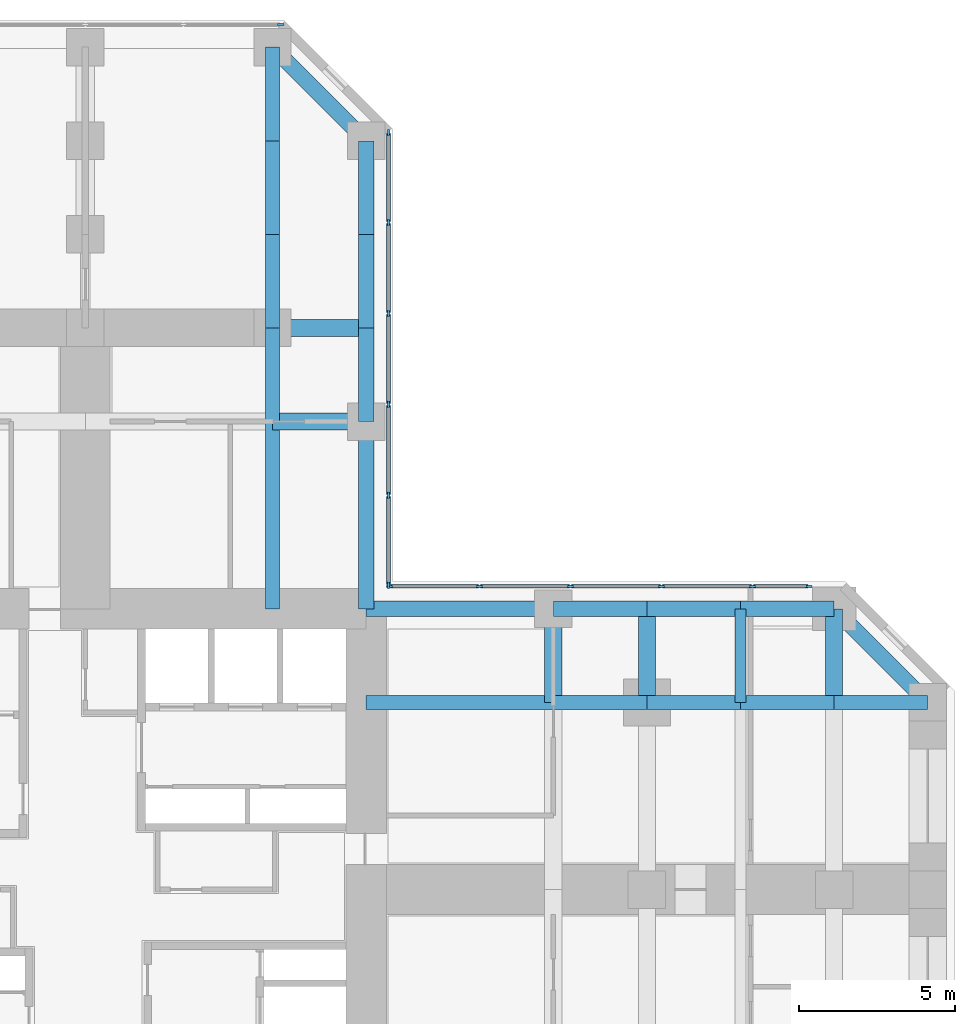
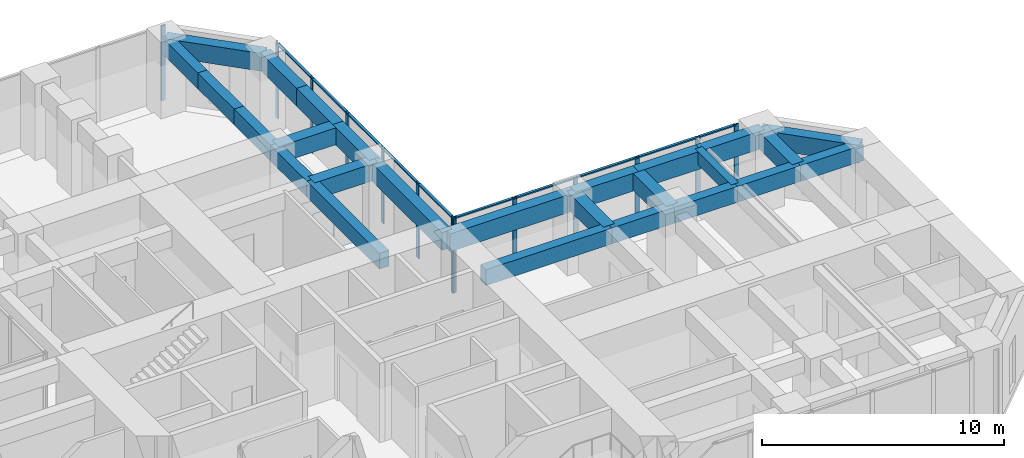
# One storey, part 6 of 13: 26 beams, 23 members, 3 elements without a shape of their own.
"""IFC4 building model written with IfcOpenShell, lengths in metres."""

from ifc_helpers import new_model, si_unit, direction, frame, origin, origin_2d, place, context, subcontext, project, spatial, rectangle, extrude, material, material_profile, profile_set, type_object, element, aggregate, save


model = new_model("IFC4")

# Units and contexts
model_context = context("Model", 3, precision=1e-05, world=origin(), true_north=direction((0.0, 1.0)))
body_context = subcontext(model_context, "Body", "Model", "MODEL_VIEW")
ifc_project = project(units=[si_unit("LENGTHUNIT", "METRE"), si_unit("AREAUNIT", "SQUARE_METRE"), si_unit("VOLUMEUNIT", "CUBIC_METRE"), si_unit("PLANEANGLEUNIT", "RADIAN"), si_unit("MASSUNIT", "GRAM", prefix="KILO")], contexts=[model_context])

# Site, building, storey
site_placement = place(None, origin())
site = spatial("IfcSite", under=ifc_project, at=site_placement, CompositionType="ELEMENT")
building_placement = place(site_placement, origin())
building = spatial("IfcBuilding", under=site, at=building_placement, Name="Torre Cruceta", CompositionType="ELEMENT")
storey_placement = place(building_placement, frame((0.0, 0.0, 23.5)))
storey = spatial("IfcBuildingStorey", under=building, at=storey_placement, Name="L05", CompositionType="ELEMENT", Elevation=23.5)

# Beams
ifc_material_1 = material(Name="Concrete G60 (fck 60 MPa)", Category="concrete")
ifc_material_profile_1 = material_profile(ifc_material_1, rectangle(XDim=0.449951171875, YDim=0.800048828125, at=origin_2d()), Name="RC 450X800")
ifc_profile_set_1 = profile_set([ifc_material_profile_1], Name="Concrete G60 (fck 60 MPa)")
beam_type_1 = type_object("IfcBeamType", Name="COLUMN LINE BEAM RC 450X800", PredefinedType="BEAM", material=ifc_profile_set_1)
beam_1_placement = place(storey_placement, frame((6.0, 9.0, 3.39990234375), z_axis=(0.0, 1.0, 0.0), x_axis=(-1.0, 0.0, 0.0)))
element("IfcBeam", 1, at=beam_1_placement, inside=storey, type_object=beam_type_1, Name="LB1 L05 N col- 1", PredefinedType="BEAM", context=body_context, shape_type="SweptSolid", body=[
    extrude(rectangle(XDim=0.449951171875, YDim=0.800048828125, at=origin_2d()), origin(), (0.0, 0.0, 1.0), 6.0),
])
for number, where, z_axis, x_axis, name in (
    (2, (6.0, 15.0, 3.39990234375), (0.0, 1.0, 0.0), (-1.0, 0.0, 0.0), "LB1 L05 N col- 2"),
    (3, (6.0, 18.0, 3.39990234375), (0.0, 1.0, 0.0), (-1.0, 0.0, 0.0), "LB1 L05 N col- 3"),
    (4, (6.0, 21.0, 3.39990234375), (0.0, 1.0, 0.0), (-1.0, 0.0, 0.0), "LB1 L05 N col- 4"),
    (5, (6.0, 24.0, 3.39990234375), (0.0, 1.0, 0.0), (-1.0, 0.0, 0.0), "LB1 L05 N col- 5"),
):
    element("IfcBeam", number, at=place(storey_placement, frame(where, z_axis=z_axis, x_axis=x_axis)), inside=storey, type_object=beam_type_1, Name=name, PredefinedType="BEAM", context=body_context, shape_type="SweptSolid", body=[
        extrude(rectangle(XDim=0.449951171875, YDim=0.800048828125, at=origin_2d()), origin(), (0.0, 0.0, 1.0), 3.0),
    ])
beam_2_placement = place(storey_placement, frame((9.0, 6.0, 3.39990234375), z_axis=(1.0, 0.0, 0.0), x_axis=(0.0, 1.0, 0.0)))
element("IfcBeam", 6, at=beam_2_placement, inside=storey, type_object=beam_type_1, Name="LB1 L05 E col+ 1", PredefinedType="BEAM", context=body_context, shape_type="SweptSolid", body=[
    extrude(rectangle(XDim=0.449951171875, YDim=0.800048828125, at=origin_2d()), origin(), (0.0, 0.0, 1.0), 6.0),
])
for number, where, z_axis, x_axis, name in (
    (7, (15.0, 6.0, 3.39990234375), (1.0, 0.0, 0.0), (0.0, 1.0, 0.0), "LB1 L05 E col+ 2"),
    (8, (18.0, 6.0, 3.39990234375), (1.0, 0.0, 0.0), (0.0, 1.0, 0.0), "LB1 L05 E col+ 3"),
    (9, (21.0, 6.0, 3.39990234375), (1.0, 0.0, 0.0), (0.0, 1.0, 0.0), "LB1 L05 E col+ 4"),
    (10, (24.0, 6.0, 3.39990234375), (1.0, 0.0, 0.0), (0.0, 1.0, 0.0), "LB1 L05 E col+ 5"),
):
    element("IfcBeam", number, at=place(storey_placement, frame(where, z_axis=z_axis, x_axis=x_axis)), inside=storey, type_object=beam_type_1, Name=name, PredefinedType="BEAM", context=body_context, shape_type="SweptSolid", body=[
        extrude(rectangle(XDim=0.449951171875, YDim=0.800048828125, at=origin_2d()), origin(), (0.0, 0.0, 1.0), 3.0),
    ])
ifc_material_2 = material(Name="Concrete G60 (fck 60 MPa)", Category="concrete")
ifc_material_profile_2 = material_profile(ifc_material_2, rectangle(XDim=0.550048828125, YDim=0.85009765625, at=origin_2d()), Name="RC 550X850")
ifc_profile_set_2 = profile_set([ifc_material_profile_2], Name="Concrete G60 (fck 60 MPa)")
beam_type_2 = type_object("IfcBeamType", Name="CROSS BEAM RC 550X850", PredefinedType="BEAM", material=ifc_profile_set_2)
for number, where, z_axis, x_axis, name in (
    (11, (9.0, 15.0, 3.375), (-1.0, 0.0, 0.0), (0.0, -1.0, 0.0), "GB4 L05 N cross15 1"),
    (12, (9.0, 18.0, 3.375), (-1.0, 0.0, 0.0), (0.0, -1.0, 0.0), "GB4 L05 N cross18 1"),
    (13, (15.0, 6.0, 3.375), (0.0, 1.0, 0.0), (-1.0, 0.0, 0.0), "GB4 L05 E cross15 4"),
    (14, (18.0, 6.0, 3.375), (0.0, 1.0, 0.0), (-1.0, 0.0, 0.0), "GB4 L05 E cross18 4"),
    (15, (24.0, 6.0, 3.375), (0.0, 1.0, 0.0), (-1.0, 0.0, 0.0), "GB4 L05 E cross24 4"),
):
    element("IfcBeam", number, at=place(storey_placement, frame(where, z_axis=z_axis, x_axis=x_axis)), inside=storey, type_object=beam_type_2, Name=name, PredefinedType="BEAM", context=body_context, shape_type="SweptSolid", body=[
        extrude(rectangle(XDim=0.550048828125, YDim=0.85009765625, at=origin_2d()), origin(), (0.0, 0.0, 1.0), 3.0),
    ])

# Curtain wall, members
ifc_material_3 = material(Name="Aluminium unitised curtain wall", Category="aluminium")
curtain_wall_type = type_object("IfcCurtainWallType", Name="CURTAIN WALL CW-A OFFICE LOW RISE", PredefinedType="USERDEFINED", material=ifc_material_3)
curtain_wall_1_placement = place(storey_placement, origin())
curtain_wall_1 = element("IfcCurtainWall", 16, at=curtain_wall_1_placement, inside=storey, type_object=curtain_wall_type, Name="CW-A L05 E side 04", ObjectType="UNITISED", PredefinedType="USERDEFINED")
ifc_material_4 = material(Name="Aluminium mullion", Category="aluminium")
ifc_material_profile_3 = material_profile(ifc_material_4, rectangle(XDim=0.06494140625, YDim=0.199951171875, at=origin_2d()), Name="AL 65X200")
ifc_profile_set_3 = profile_set([ifc_material_profile_3], Name="Aluminium mullion")
member_type_1 = type_object("IfcMemberType", Name="CW-A MULLION 65X200", PredefinedType="MULLION", material=ifc_profile_set_3)
member_1_placement = place(storey_placement, frame((23.198974609375, 9.719970703125, 0.0), z_axis=(0.0, 0.0, 1.0), x_axis=(0.0, -1.0, 0.0)))
member_1 = element("IfcMember", 17, at=member_1_placement, type_object=member_type_1, Name="CW-A mullion 1", PredefinedType="MULLION", context=body_context, shape_type="SweptSolid", body=[
    extrude(rectangle(XDim=0.06494140625, YDim=0.199951171875, at=origin_2d()), origin(), (0.0, 0.0, 1.0), 3.800048828125),
])
member_2_placement = place(storey_placement, frame((21.382568359375, 9.719970703125, 0.0), z_axis=(0.0, 0.0, 1.0), x_axis=(0.0, -1.0, 0.0)))
member_2 = element("IfcMember", 18, at=member_2_placement, type_object=member_type_1, Name="CW-A mullion 2", PredefinedType="MULLION", context=body_context, shape_type="SweptSolid", body=[
    extrude(rectangle(XDim=0.06494140625, YDim=0.199951171875, at=origin_2d()), origin(), (0.0, 0.0, 1.0), 3.800048828125),
])
member_3_placement = place(storey_placement, frame((18.467041015625, 9.719970703125, 0.0), z_axis=(0.0, 0.0, 1.0), x_axis=(0.0, -1.0, 0.0)))
member_3 = element("IfcMember", 19, at=member_3_placement, type_object=member_type_1, Name="CW-A mullion 3", PredefinedType="MULLION", context=body_context, shape_type="SweptSolid", body=[
    extrude(rectangle(XDim=0.06494140625, YDim=0.199951171875, at=origin_2d()), origin(), (0.0, 0.0, 1.0), 3.800048828125),
])
member_4_placement = place(storey_placement, frame((15.55126953125, 9.719970703125, 0.0), z_axis=(0.0, 0.0, 1.0), x_axis=(0.0, -1.0, 0.0)))
member_4 = element("IfcMember", 20, at=member_4_placement, type_object=member_type_1, Name="CW-A mullion 4", PredefinedType="MULLION", context=body_context, shape_type="SweptSolid", body=[
    extrude(rectangle(XDim=0.06494140625, YDim=0.199951171875, at=origin_2d()), origin(), (0.0, 0.0, 1.0), 3.800048828125),
])
member_5_placement = place(storey_placement, frame((12.6357421875, 9.719970703125, 0.0), z_axis=(0.0, 0.0, 1.0), x_axis=(0.0, -1.0, 0.0)))
member_5 = element("IfcMember", 21, at=member_5_placement, type_object=member_type_1, Name="CW-A mullion 5", PredefinedType="MULLION", context=body_context, shape_type="SweptSolid", body=[
    extrude(rectangle(XDim=0.06494140625, YDim=0.199951171875, at=origin_2d()), origin(), (0.0, 0.0, 1.0), 3.800048828125),
])
member_6_placement = place(storey_placement, frame((9.75244140625, 9.719970703125, 0.0), z_axis=(0.0, 0.0, 1.0), x_axis=(0.0, -1.0, 0.0)))
member_6 = element("IfcMember", 22, at=member_6_placement, type_object=member_type_1, Name="CW-A mullion 6", PredefinedType="MULLION", context=body_context, shape_type="SweptSolid", body=[
    extrude(rectangle(XDim=0.06494140625, YDim=0.199951171875, at=origin_2d()), origin(), (0.0, 0.0, 1.0), 3.800048828125),
])

curtain_wall_2_placement = place(storey_placement, origin())
curtain_wall_2 = element("IfcCurtainWall", 23, at=curtain_wall_2_placement, inside=storey, type_object=curtain_wall_type, Name="CW-A L05 N side 05", ObjectType="UNITISED", PredefinedType="USERDEFINED")
member_7_placement = place(storey_placement, frame((9.719970703125, 9.75244140625, 0.0), z_axis=(0.0, 0.0, 1.0), x_axis=(-1.0, 0.0, 0.0)))
member_7 = element("IfcMember", 24, at=member_7_placement, type_object=member_type_1, Name="CW-A mullion 1", PredefinedType="MULLION", context=body_context, shape_type="SweptSolid", body=[
    extrude(rectangle(XDim=0.06494140625, YDim=0.199951171875, at=origin_2d()), origin(), (0.0, 0.0, 1.0), 3.800048828125),
])
member_8_placement = place(storey_placement, frame((9.719970703125, 12.6357421875, 0.0), z_axis=(0.0, 0.0, 1.0), x_axis=(-1.0, 0.0, 0.0)))
member_8 = element("IfcMember", 25, at=member_8_placement, type_object=member_type_1, Name="CW-A mullion 2", PredefinedType="MULLION", context=body_context, shape_type="SweptSolid", body=[
    extrude(rectangle(XDim=0.06494140625, YDim=0.199951171875, at=origin_2d()), origin(), (0.0, 0.0, 1.0), 3.800048828125),
])
member_9_placement = place(storey_placement, frame((9.719970703125, 15.55126953125, 0.0), z_axis=(0.0, 0.0, 1.0), x_axis=(-1.0, 0.0, 0.0)))
member_9 = element("IfcMember", 26, at=member_9_placement, type_object=member_type_1, Name="CW-A mullion 3", PredefinedType="MULLION", context=body_context, shape_type="SweptSolid", body=[
    extrude(rectangle(XDim=0.06494140625, YDim=0.199951171875, at=origin_2d()), origin(), (0.0, 0.0, 1.0), 3.800048828125),
])
member_10_placement = place(storey_placement, frame((9.719970703125, 18.467041015625, 0.0), z_axis=(0.0, 0.0, 1.0), x_axis=(-1.0, 0.0, 0.0)))
member_10 = element("IfcMember", 27, at=member_10_placement, type_object=member_type_1, Name="CW-A mullion 4", PredefinedType="MULLION", context=body_context, shape_type="SweptSolid", body=[
    extrude(rectangle(XDim=0.06494140625, YDim=0.199951171875, at=origin_2d()), origin(), (0.0, 0.0, 1.0), 3.800048828125),
])
member_11_placement = place(storey_placement, frame((9.719970703125, 21.382568359375, 0.0), z_axis=(0.0, 0.0, 1.0), x_axis=(-1.0, 0.0, 0.0)))
member_11 = element("IfcMember", 28, at=member_11_placement, type_object=member_type_1, Name="CW-A mullion 5", PredefinedType="MULLION", context=body_context, shape_type="SweptSolid", body=[
    extrude(rectangle(XDim=0.06494140625, YDim=0.199951171875, at=origin_2d()), origin(), (0.0, 0.0, 1.0), 3.800048828125),
])
member_12_placement = place(storey_placement, frame((9.719970703125, 24.265625, 0.0), z_axis=(0.0, 0.0, 1.0), x_axis=(-1.0, 0.0, 0.0)))
member_12 = element("IfcMember", 29, at=member_12_placement, type_object=member_type_1, Name="CW-A mullion 6", PredefinedType="MULLION", context=body_context, shape_type="SweptSolid", body=[
    extrude(rectangle(XDim=0.06494140625, YDim=0.199951171875, at=origin_2d()), origin(), (0.0, 0.0, 1.0), 3.800048828125),
])

# Curtain wall, member
curtain_wall_3_placement = place(storey_placement, origin())
curtain_wall_3 = element("IfcCurtainWall", 30, at=curtain_wall_3_placement, inside=storey, type_object=curtain_wall_type, Name="CW-A L05 N tip 07", ObjectType="UNITISED", PredefinedType="USERDEFINED")
member_13_placement = place(storey_placement, frame((6.265625, 27.719970703125, 0.0), z_axis=(0.0, 0.0, 1.0), x_axis=(0.0, -1.0, 0.0)))
member_13 = element("IfcMember", 31, at=member_13_placement, type_object=member_type_1, Name="CW-A mullion 1", PredefinedType="MULLION", context=body_context, shape_type="SweptSolid", body=[
    extrude(rectangle(XDim=0.06494140625, YDim=0.199951171875, at=origin_2d()), origin(), (0.0, 0.0, 1.0), 3.800048828125),
])
aggregate(curtain_wall_3, [member_13])

# Member
ifc_material_5 = material(Name="Aluminium transom", Category="aluminium")
ifc_material_profile_4 = material_profile(ifc_material_5, rectangle(XDim=0.1201171875, YDim=0.06494140625, at=origin_2d()), Name="AL 120X65")
ifc_profile_set_4 = profile_set([ifc_material_profile_4], Name="Aluminium transom")
member_type_2 = type_object("IfcMemberType", Name="CW-A TRANSOM 65X120", PredefinedType="USERDEFINED", material=ifc_profile_set_4)
member_14_placement = place(storey_placement, frame((23.16650390625, 9.719970703125, 3.767578125), z_axis=(-1.0, 0.0, 0.0), x_axis=(0.0, -1.0, 0.0)))
member_14 = element("IfcMember", 32, at=member_14_placement, type_object=member_type_2, Name="CW-A transom 1", ObjectType="TRANSOM", PredefinedType="USERDEFINED", context=body_context, shape_type="SweptSolid", body=[
    extrude(rectangle(XDim=0.1201171875, YDim=0.06494140625, at=origin_2d()), origin(), (0.0, 0.0, 1.0), 1.75146484375),
])

member_15_placement = place(storey_placement, frame((21.35009765625, 9.719970703125, 3.767578125), z_axis=(-1.0, 0.0, 0.0), x_axis=(0.0, -1.0, 0.0)))
member_15 = element("IfcMember", 33, at=member_15_placement, type_object=member_type_2, Name="CW-A transom 2", ObjectType="TRANSOM", PredefinedType="USERDEFINED", context=body_context, shape_type="SweptSolid", body=[
    extrude(rectangle(XDim=0.1201171875, YDim=0.06494140625, at=origin_2d()), origin(), (0.0, 0.0, 1.0), 2.8505859375),
])

member_16_placement = place(storey_placement, frame((18.434326171875, 9.719970703125, 3.767578125), z_axis=(-1.0, 0.0, 0.0), x_axis=(0.0, -1.0, 0.0)))
member_16 = element("IfcMember", 34, at=member_16_placement, type_object=member_type_2, Name="CW-A transom 3", ObjectType="TRANSOM", PredefinedType="USERDEFINED", context=body_context, shape_type="SweptSolid", body=[
    extrude(rectangle(XDim=0.1201171875, YDim=0.06494140625, at=origin_2d()), origin(), (0.0, 0.0, 1.0), 2.8505859375),
])

member_17_placement = place(storey_placement, frame((15.518798828125, 9.719970703125, 3.767578125), z_axis=(-1.0, 0.0, 0.0), x_axis=(0.0, -1.0, 0.0)))
member_17 = element("IfcMember", 35, at=member_17_placement, type_object=member_type_2, Name="CW-A transom 4", ObjectType="TRANSOM", PredefinedType="USERDEFINED", context=body_context, shape_type="SweptSolid", body=[
    extrude(rectangle(XDim=0.1201171875, YDim=0.06494140625, at=origin_2d()), origin(), (0.0, 0.0, 1.0), 2.8505859375),
])

member_18_placement = place(storey_placement, frame((12.60302734375, 9.719970703125, 3.767578125), z_axis=(-1.0, 0.0, 0.0), x_axis=(0.0, -1.0, 0.0)))
member_18 = element("IfcMember", 36, at=member_18_placement, type_object=member_type_2, Name="CW-A transom 5", ObjectType="TRANSOM", PredefinedType="USERDEFINED", context=body_context, shape_type="SweptSolid", body=[
    extrude(rectangle(XDim=0.1201171875, YDim=0.06494140625, at=origin_2d()), origin(), (0.0, 0.0, 1.0), 2.818115234375),
])

aggregate(curtain_wall_1, [member_1, member_2, member_3, member_4, member_5, member_6, member_14, member_15, member_16, member_17, member_18])

member_19_placement = place(storey_placement, frame((9.719970703125, 9.784912109375, 3.767578125), z_axis=(0.0, 1.0, 0.0), x_axis=(-1.0, 0.0, 0.0)))
member_19 = element("IfcMember", 37, at=member_19_placement, type_object=member_type_2, Name="CW-A transom 1", ObjectType="TRANSOM", PredefinedType="USERDEFINED", context=body_context, shape_type="SweptSolid", body=[
    extrude(rectangle(XDim=0.1201171875, YDim=0.06494140625, at=origin_2d()), origin(), (0.0, 0.0, 1.0), 2.818115234375),
])

member_20_placement = place(storey_placement, frame((9.719970703125, 12.668212890625, 3.767578125), z_axis=(0.0, 1.0, 0.0), x_axis=(-1.0, 0.0, 0.0)))
member_20 = element("IfcMember", 38, at=member_20_placement, type_object=member_type_2, Name="CW-A transom 2", ObjectType="TRANSOM", PredefinedType="USERDEFINED", context=body_context, shape_type="SweptSolid", body=[
    extrude(rectangle(XDim=0.1201171875, YDim=0.06494140625, at=origin_2d()), origin(), (0.0, 0.0, 1.0), 2.8505859375),
])

member_21_placement = place(storey_placement, frame((9.719970703125, 15.583740234375, 3.767578125), z_axis=(0.0, 1.0, 0.0), x_axis=(-1.0, 0.0, 0.0)))
member_21 = element("IfcMember", 39, at=member_21_placement, type_object=member_type_2, Name="CW-A transom 3", ObjectType="TRANSOM", PredefinedType="USERDEFINED", context=body_context, shape_type="SweptSolid", body=[
    extrude(rectangle(XDim=0.1201171875, YDim=0.06494140625, at=origin_2d()), origin(), (0.0, 0.0, 1.0), 2.8505859375),
])

member_22_placement = place(storey_placement, frame((9.719970703125, 18.49951171875, 3.767578125), z_axis=(0.0, 1.0, 0.0), x_axis=(-1.0, 0.0, 0.0)))
member_22 = element("IfcMember", 40, at=member_22_placement, type_object=member_type_2, Name="CW-A transom 4", ObjectType="TRANSOM", PredefinedType="USERDEFINED", context=body_context, shape_type="SweptSolid", body=[
    extrude(rectangle(XDim=0.1201171875, YDim=0.06494140625, at=origin_2d()), origin(), (0.0, 0.0, 1.0), 2.8505859375),
])

member_23_placement = place(storey_placement, frame((9.719970703125, 21.4150390625, 3.767578125), z_axis=(0.0, 1.0, 0.0), x_axis=(-1.0, 0.0, 0.0)))
member_23 = element("IfcMember", 41, at=member_23_placement, type_object=member_type_2, Name="CW-A transom 5", ObjectType="TRANSOM", PredefinedType="USERDEFINED", context=body_context, shape_type="SweptSolid", body=[
    extrude(rectangle(XDim=0.1201171875, YDim=0.06494140625, at=origin_2d()), origin(), (0.0, 0.0, 1.0), 2.818115234375),
])

aggregate(curtain_wall_2, [member_7, member_8, member_9, member_10, member_11, member_12, member_19, member_20, member_21, member_22, member_23])

# Beams
ifc_material_6 = material(Name="Concrete G60 (fck 60 MPa)", Category="concrete")
ifc_material_profile_5 = material_profile(ifc_material_6, rectangle(XDim=0.35009765625, YDim=0.64990234375, at=origin_2d()), Name="RC 350X650")
ifc_profile_set_5 = profile_set([ifc_material_profile_5], Name="Concrete G60 (fck 60 MPa)")
beam_type_3 = type_object("IfcBeamType", Name="SECONDARY BEAM RC 350X650", PredefinedType="JOIST", material=ifc_profile_set_5)
beam_3_placement = place(storey_placement, frame((21.0, 6.0, 3.47509765625), z_axis=(0.0, 1.0, 0.0), x_axis=(-1.0, 0.0, 0.0)))
element("IfcBeam", 42, at=beam_3_placement, inside=storey, type_object=beam_type_3, Name="JB3 L05 E sec21 4", PredefinedType="JOIST", context=body_context, shape_type="SweptSolid", body=[
    extrude(rectangle(XDim=0.35009765625, YDim=0.64990234375, at=origin_2d()), origin(), (0.0, 0.0, 1.0), 3.0),
])
ifc_material_7 = material(Name="Concrete G60 (fck 60 MPa)", Category="concrete")
ifc_material_profile_6 = material_profile(ifc_material_7, rectangle(XDim=0.5, YDim=0.89990234375, at=origin_2d()), Name="RC 500X900")
ifc_profile_set_6 = profile_set([ifc_material_profile_6], Name="Concrete G60 (fck 60 MPa)")
beam_type_4 = type_object("IfcBeamType", Name="SPANDREL BEAM RC 500X900", PredefinedType="SPANDREL", material=ifc_profile_set_6)
beam_4_placement = place(storey_placement, frame((9.0, 9.0, 3.35009765625), z_axis=(0.0, 1.0, 0.0), x_axis=(-1.0, 0.0, 0.0)))
element("IfcBeam", 43, at=beam_4_placement, inside=storey, type_object=beam_type_4, Name="SB4 L05 N side- 1", PredefinedType="SPANDREL", context=body_context, shape_type="SweptSolid", body=[
    extrude(rectangle(XDim=0.5, YDim=0.89990234375, at=origin_2d()), origin(), (0.0, 0.0, 1.0), 6.0),
])
for number, where, z_axis, x_axis, name in (
    (44, (9.0, 15.0, 3.35009765625), (0.0, 1.0, 0.0), (-1.0, 0.0, 0.0), "SB4 L05 N side- 2"),
    (45, (9.0, 18.0, 3.35009765625), (0.0, 1.0, 0.0), (-1.0, 0.0, 0.0), "SB4 L05 N side- 3"),
    (46, (9.0, 21.0, 3.35009765625), (0.0, 1.0, 0.0), (-1.0, 0.0, 0.0), "SB4 L05 N side- 4"),
):
    element("IfcBeam", number, at=place(storey_placement, frame(where, z_axis=z_axis, x_axis=x_axis)), inside=storey, type_object=beam_type_4, Name=name, PredefinedType="SPANDREL", context=body_context, shape_type="SweptSolid", body=[
        extrude(rectangle(XDim=0.5, YDim=0.89990234375, at=origin_2d()), origin(), (0.0, 0.0, 1.0), 3.0),
    ])
beam_5_placement = place(storey_placement, frame((9.0, 24.0, 3.35009765625), z_axis=(-0.707106781187, 0.707106781187, 0.0), x_axis=(-0.707106781187, -0.707106781187, 0.0)))
element("IfcBeam", 47, at=beam_5_placement, inside=storey, type_object=beam_type_4, Name="SB4 L05 N side- 5", PredefinedType="SPANDREL", context=body_context, shape_type="SweptSolid", body=[
    extrude(rectangle(XDim=0.5, YDim=0.89990234375, at=origin_2d()), origin(), (0.0, 0.0, 1.0), 4.24267578125),
])
beam_6_placement = place(storey_placement, frame((9.0, 9.0, 3.35009765625), z_axis=(1.0, 0.0, 0.0), x_axis=(0.0, 1.0, 0.0)))
element("IfcBeam", 48, at=beam_6_placement, inside=storey, type_object=beam_type_4, Name="SB4 L05 E side+ 1", PredefinedType="SPANDREL", context=body_context, shape_type="SweptSolid", body=[
    extrude(rectangle(XDim=0.5, YDim=0.89990234375, at=origin_2d()), origin(), (0.0, 0.0, 1.0), 6.0),
])
for number, where, z_axis, x_axis, name in (
    (49, (15.0, 9.0, 3.35009765625), (1.0, 0.0, 0.0), (0.0, 1.0, 0.0), "SB4 L05 E side+ 2"),
    (50, (18.0, 9.0, 3.35009765625), (1.0, 0.0, 0.0), (0.0, 1.0, 0.0), "SB4 L05 E side+ 3"),
    (51, (21.0, 9.0, 3.35009765625), (1.0, 0.0, 0.0), (0.0, 1.0, 0.0), "SB4 L05 E side+ 4"),
):
    element("IfcBeam", number, at=place(storey_placement, frame(where, z_axis=z_axis, x_axis=x_axis)), inside=storey, type_object=beam_type_4, Name=name, PredefinedType="SPANDREL", context=body_context, shape_type="SweptSolid", body=[
        extrude(rectangle(XDim=0.5, YDim=0.89990234375, at=origin_2d()), origin(), (0.0, 0.0, 1.0), 3.0),
    ])
beam_7_placement = place(storey_placement, frame((24.0, 9.0, 3.35009765625), z_axis=(0.707106781187, -0.707106781187, 0.0), x_axis=(0.707106781187, 0.707106781187, 0.0)))
element("IfcBeam", 52, at=beam_7_placement, inside=storey, type_object=beam_type_4, Name="SB4 L05 E side+ 5", PredefinedType="SPANDREL", context=body_context, shape_type="SweptSolid", body=[
    extrude(rectangle(XDim=0.5, YDim=0.89990234375, at=origin_2d()), origin(), (0.0, 0.0, 1.0), 4.24267578125),
])

save(model, "model.ifc")
